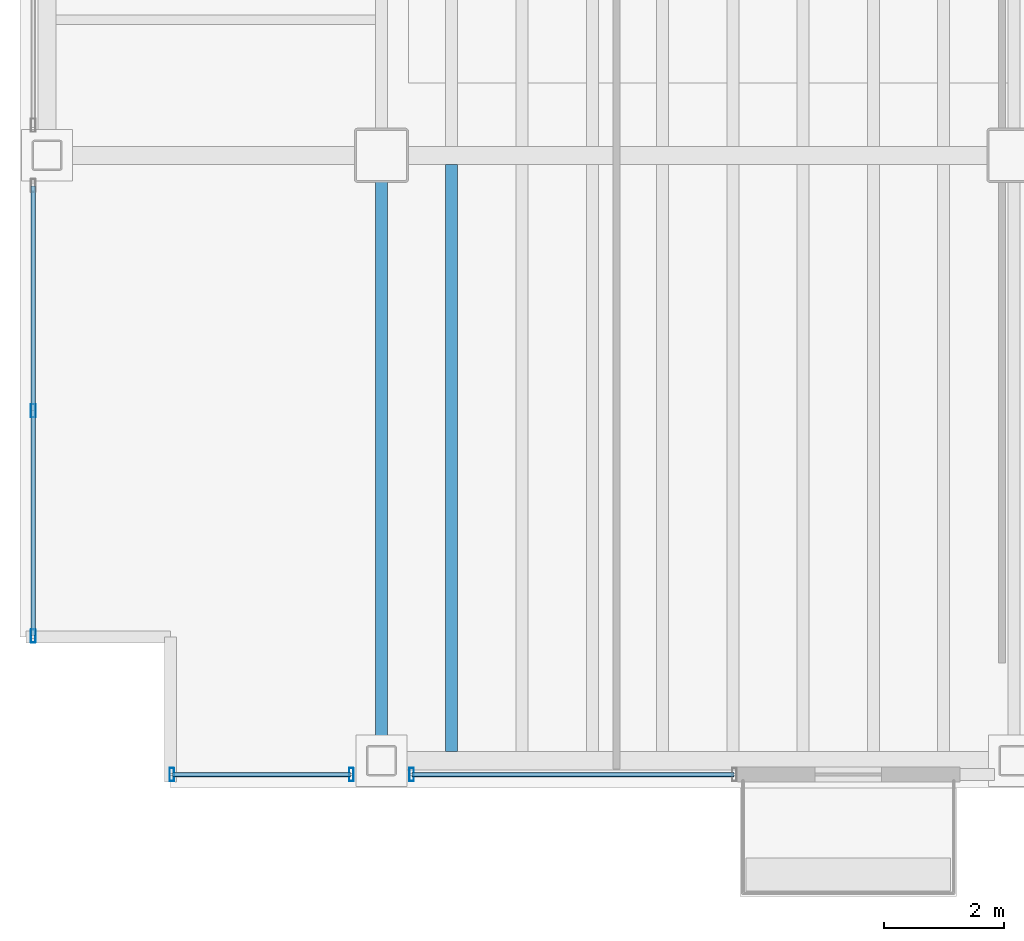
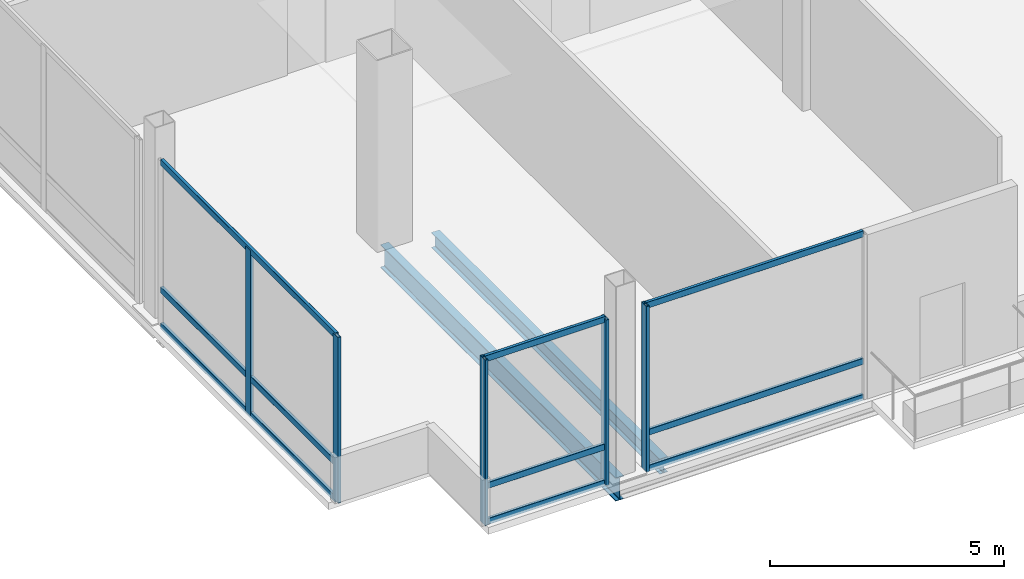
# One storey, part 2 of 22: 14 members, 2 beams, 3 elements without a shape of their own.
"""IFC4 building model written with IfcOpenShell, lengths in metres."""

from ifc_helpers import new_model, si_unit, direction, frame, origin, origin_2d, place, context, subcontext, project, spatial, hollow_rectangle, i_section, extrude, material, material_profile, profile_set, type_object, element, aggregate, save


model = new_model("IFC4")

# Units and contexts
model_context = context("Model", 3, precision=1e-05, world=origin(), true_north=direction((0.0, 1.0)))
body_context = subcontext(model_context, "Body", "Model", "MODEL_VIEW")
ifc_project = project(units=[si_unit("LENGTHUNIT", "METRE"), si_unit("AREAUNIT", "SQUARE_METRE"), si_unit("VOLUMEUNIT", "CUBIC_METRE"), si_unit("PLANEANGLEUNIT", "RADIAN"), si_unit("MASSUNIT", "GRAM", prefix="KILO")], contexts=[model_context])

# Site, building, storey
site_placement = place(None, origin())
site = spatial("IfcSite", under=ifc_project, at=site_placement, CompositionType="ELEMENT")
building_placement = place(site_placement, origin())
building = spatial("IfcBuilding", under=site, at=building_placement, Name="Noeulbin Bourse Tower", CompositionType="ELEMENT")
storey_placement = place(building_placement, frame((0.0, 0.0, 106.0)))
storey = spatial("IfcBuildingStorey", under=building, at=storey_placement, Name="L26", CompositionType="ELEMENT", Elevation=106.0)

# Beams
ifc_material_1 = material(Name="Steel S355", Category="steel")
ifc_material_profile_1 = material_profile(ifc_material_1, i_section(OverallWidth=0.199951171875, OverallDepth=0.60009765625, WebThickness=0.010986328125, FlangeThickness=0.01708984375, FilletRadius=0.02197265625, at=origin_2d()), Name="H-600x200x11x17", Category="LoadBearing")
ifc_profile_set_1 = profile_set([ifc_material_profile_1], Name="Steel S355")
beam_type_1 = type_object("IfcBeamType", Name="BM-GRD-600", PredefinedType="USERDEFINED", material=ifc_profile_set_1)
beam_1_placement = place(storey_placement, frame((13.5, 9.949951171875, -0.47998046875), z_axis=(0.0, 1.0, 0.0), x_axis=(-1.0, 0.0, 0.0)))
element("IfcBeam", 1, at=beam_1_placement, inside=storey, type_object=beam_type_1, Name="Tower Primary Girder NS L26-1.1", ObjectType="GIRDER", PredefinedType="USERDEFINED", context=body_context, shape_type="SweptSolid", body=[
    extrude(i_section(OverallWidth=0.199951171875, OverallDepth=0.60009765625, WebThickness=0.010986328125, FlangeThickness=0.01708984375, FilletRadius=0.02197265625, at=origin_2d()), origin(), (0.0, 0.0, 1.0), 10.050048828125),
])
ifc_material_profile_2 = material_profile(ifc_material_1, i_section(OverallWidth=0.199951171875, OverallDepth=0.39990234375, WebThickness=0.008056640625, FlangeThickness=0.012939453125, FilletRadius=0.01611328125, at=origin_2d()), Name="H-400x200x8x13", Category="LoadBearing")
ifc_profile_set_2 = profile_set([ifc_material_profile_2], Name="Steel S355")
beam_type_2 = type_object("IfcBeamType", Name="BM-SEC-400", PredefinedType="BEAM", material=ifc_profile_set_2)
beam_2_placement = place(storey_placement, frame((14.666748046875, 10.10009765625, -0.3798828125), z_axis=(0.0, 1.0, 0.0), x_axis=(-1.0, 0.0, 0.0)))
element("IfcBeam", 2, at=beam_2_placement, inside=storey, type_object=beam_type_2, Name="Tower Composite Joist L26-01", PredefinedType="BEAM", context=body_context, shape_type="SweptSolid", body=[
    extrude(i_section(OverallWidth=0.199951171875, OverallDepth=0.39990234375, WebThickness=0.008056640625, FlangeThickness=0.012939453125, FilletRadius=0.01611328125, at=origin_2d()), origin(), (0.0, 0.0, 1.0), 9.75),
])

# Curtain wall, members
ifc_material_2 = material(Name="Dark Tinted Triple Glazing", Category="glass")
curtain_wall_type = type_object("IfcCurtainWallType", Name="CW-SYS-3", PredefinedType="NOTDEFINED", material=ifc_material_2)
curtain_wall_1_placement = place(storey_placement, origin())
curtain_wall_1 = element("IfcCurtainWall", 3, at=curtain_wall_1_placement, inside=storey, type_object=curtain_wall_type, Name="Unitised Curtain Wall CW-L26-S1-S1", PredefinedType="NOTDEFINED")
ifc_material_3 = material(Name="Anodised Aluminium 6063-T6", Category="aluminium")
ifc_material_profile_3 = material_profile(ifc_material_3, hollow_rectangle(XDim=0.074951171875, YDim=0.219970703125, WallThickness=0.0048828125, InnerFilletRadius=0.00244140625, OuterFilletRadius=0.0048828125, at=origin_2d()), Name="ALU-MULL-75x220x5", Category="LoadBearing")
ifc_profile_set_3 = profile_set([ifc_material_profile_3], Name="Anodised Aluminium 6063-T6")
member_type_1 = type_object("IfcMemberType", Name="CW-SYS-3-MUL", PredefinedType="MULLION", material=ifc_profile_set_3)
member_1_placement = place(storey_placement, frame((10.02001953125, 9.719970703125, -0.02001953125), z_axis=(0.0, 0.0, 1.0), x_axis=(1.0, 0.0, 0.0)))
member_1 = element("IfcMember", 4, at=member_1_placement, type_object=member_type_1, Name="Curtain Wall Mullion CW-L26-S1-S1-M00", PredefinedType="MULLION", context=body_context, shape_type="SweptSolid", body=[
    extrude(hollow_rectangle(XDim=0.074951171875, YDim=0.219970703125, WallThickness=0.0048828125, InnerFilletRadius=0.00244140625, OuterFilletRadius=0.0048828125, at=origin_2d()), origin(), (0.0, 0.0, 1.0), 4.320068359375),
])
member_2_placement = place(storey_placement, frame((13.0, 9.719970703125, -0.02001953125), z_axis=(0.0, 0.0, 1.0), x_axis=(1.0, 0.0, 0.0)))
member_2 = element("IfcMember", 5, at=member_2_placement, type_object=member_type_1, Name="Curtain Wall Mullion CW-L26-S1-S1-M01", PredefinedType="MULLION", context=body_context, shape_type="SweptSolid", body=[
    extrude(hollow_rectangle(XDim=0.074951171875, YDim=0.219970703125, WallThickness=0.0048828125, InnerFilletRadius=0.00244140625, OuterFilletRadius=0.0048828125, at=origin_2d()), origin(), (0.0, 0.0, 1.0), 4.320068359375),
])

# Curtain wall, member
curtain_wall_2_placement = place(storey_placement, origin())
curtain_wall_2 = element("IfcCurtainWall", 6, at=curtain_wall_2_placement, inside=storey, type_object=curtain_wall_type, Name="Unitised Curtain Wall CW-L26-S1-S2", PredefinedType="NOTDEFINED")
member_3_placement = place(storey_placement, frame((14.0, 9.719970703125, -0.02001953125), z_axis=(0.0, 0.0, 1.0), x_axis=(1.0, 0.0, 0.0)))
member_3 = element("IfcMember", 7, at=member_3_placement, type_object=member_type_1, Name="Curtain Wall Mullion CW-L26-S1-S2-M00", PredefinedType="MULLION", context=body_context, shape_type="SweptSolid", body=[
    extrude(hollow_rectangle(XDim=0.074951171875, YDim=0.219970703125, WallThickness=0.0048828125, InnerFilletRadius=0.00244140625, OuterFilletRadius=0.0048828125, at=origin_2d()), origin(), (0.0, 0.0, 1.0), 4.320068359375),
])

# Curtain wall, members
curtain_wall_3_placement = place(storey_placement, origin())
curtain_wall_3 = element("IfcCurtainWall", 8, at=curtain_wall_3_placement, inside=storey, type_object=curtain_wall_type, Name="Unitised Curtain Wall CW-L26-W-S1", PredefinedType="NOTDEFINED")
member_4_placement = place(storey_placement, frame((7.719970703125, 12.02001953125, -0.02001953125), z_axis=(0.0, 0.0, 1.0), x_axis=(1.0, 0.0, 0.0)))
member_4 = element("IfcMember", 9, at=member_4_placement, type_object=member_type_1, Name="Curtain Wall Mullion CW-L26-W-S1-M00", PredefinedType="MULLION", context=body_context, shape_type="SweptSolid", body=[
    extrude(hollow_rectangle(XDim=0.074951171875, YDim=0.219970703125, WallThickness=0.0048828125, InnerFilletRadius=0.00244140625, OuterFilletRadius=0.0048828125, at=origin_2d()), origin(), (0.0, 0.0, 1.0), 4.320068359375),
])
member_5_placement = place(storey_placement, frame((7.719970703125, 15.760009765625, -0.02001953125), z_axis=(0.0, 0.0, 1.0), x_axis=(1.0, 0.0, 0.0)))
member_5 = element("IfcMember", 10, at=member_5_placement, type_object=member_type_1, Name="Curtain Wall Mullion CW-L26-W-S1-M01", PredefinedType="MULLION", context=body_context, shape_type="SweptSolid", body=[
    extrude(hollow_rectangle(XDim=0.074951171875, YDim=0.219970703125, WallThickness=0.0048828125, InnerFilletRadius=0.00244140625, OuterFilletRadius=0.0048828125, at=origin_2d()), origin(), (0.0, 0.0, 1.0), 4.320068359375),
])

# Member
ifc_material_profile_4 = material_profile(ifc_material_3, hollow_rectangle(XDim=0.074951171875, YDim=0.159912109375, WallThickness=0.0048828125, InnerFilletRadius=0.00244140625, OuterFilletRadius=0.0048828125, at=origin_2d()), Name="ALU-TRAN-75x160x5", Category="LoadBearing")
ifc_profile_set_4 = profile_set([ifc_material_profile_4], Name="Anodised Aluminium 6063-T6")
member_type_2 = type_object("IfcMemberType", Name="CW-SYS-3-TRN", PredefinedType="USERDEFINED", material=ifc_profile_set_4)
member_6_placement = place(storey_placement, frame((10.030029296875, 9.719970703125, 0.010009765625), z_axis=(1.0, 0.0, 0.0), x_axis=(0.0, 1.0, 0.0)))
member_6 = element("IfcMember", 11, at=member_6_placement, type_object=member_type_2, Name="Curtain Wall Transom CW-L26-S1-S1-T00", ObjectType="TRANSOM", PredefinedType="USERDEFINED", context=body_context, shape_type="SweptSolid", body=[
    extrude(hollow_rectangle(XDim=0.074951171875, YDim=0.159912109375, WallThickness=0.0048828125, InnerFilletRadius=0.00244140625, OuterFilletRadius=0.0048828125, at=origin_2d()), origin(), (0.0, 0.0, 1.0), 2.9599609375),
])

member_7_placement = place(storey_placement, frame((10.030029296875, 9.719970703125, 0.949951171875), z_axis=(1.0, 0.0, 0.0), x_axis=(0.0, 1.0, 0.0)))
member_7 = element("IfcMember", 12, at=member_7_placement, type_object=member_type_2, Name="Curtain Wall Transom CW-L26-S1-S1-T01", ObjectType="TRANSOM", PredefinedType="USERDEFINED", context=body_context, shape_type="SweptSolid", body=[
    extrude(hollow_rectangle(XDim=0.074951171875, YDim=0.159912109375, WallThickness=0.0048828125, InnerFilletRadius=0.00244140625, OuterFilletRadius=0.0048828125, at=origin_2d()), origin(), (0.0, 0.0, 1.0), 2.9599609375),
])

member_8_placement = place(storey_placement, frame((10.030029296875, 9.719970703125, 4.27001953125), z_axis=(1.0, 0.0, 0.0), x_axis=(0.0, 1.0, 0.0)))
member_8 = element("IfcMember", 13, at=member_8_placement, type_object=member_type_2, Name="Curtain Wall Transom CW-L26-S1-S1-T02", ObjectType="TRANSOM", PredefinedType="USERDEFINED", context=body_context, shape_type="SweptSolid", body=[
    extrude(hollow_rectangle(XDim=0.074951171875, YDim=0.159912109375, WallThickness=0.0048828125, InnerFilletRadius=0.00244140625, OuterFilletRadius=0.0048828125, at=origin_2d()), origin(), (0.0, 0.0, 1.0), 2.9599609375),
])

aggregate(curtain_wall_1, [member_1, member_2, member_6, member_7, member_8])

member_9_placement = place(storey_placement, frame((14.010009765625, 9.719970703125, 0.010009765625), z_axis=(1.0, 0.0, 0.0), x_axis=(0.0, 1.0, 0.0)))
member_9 = element("IfcMember", 14, at=member_9_placement, type_object=member_type_2, Name="Curtain Wall Transom CW-L26-S1-S2-T00", ObjectType="TRANSOM", PredefinedType="USERDEFINED", context=body_context, shape_type="SweptSolid", body=[
    extrude(hollow_rectangle(XDim=0.074951171875, YDim=0.159912109375, WallThickness=0.0048828125, InnerFilletRadius=0.00244140625, OuterFilletRadius=0.0048828125, at=origin_2d()), origin(), (0.0, 0.0, 1.0), 5.340087890625),
])

member_10_placement = place(storey_placement, frame((14.010009765625, 9.719970703125, 0.949951171875), z_axis=(1.0, 0.0, 0.0), x_axis=(0.0, 1.0, 0.0)))
member_10 = element("IfcMember", 15, at=member_10_placement, type_object=member_type_2, Name="Curtain Wall Transom CW-L26-S1-S2-T01", ObjectType="TRANSOM", PredefinedType="USERDEFINED", context=body_context, shape_type="SweptSolid", body=[
    extrude(hollow_rectangle(XDim=0.074951171875, YDim=0.159912109375, WallThickness=0.0048828125, InnerFilletRadius=0.00244140625, OuterFilletRadius=0.0048828125, at=origin_2d()), origin(), (0.0, 0.0, 1.0), 5.340087890625),
])

member_11_placement = place(storey_placement, frame((14.010009765625, 9.719970703125, 4.27001953125), z_axis=(1.0, 0.0, 0.0), x_axis=(0.0, 1.0, 0.0)))
member_11 = element("IfcMember", 16, at=member_11_placement, type_object=member_type_2, Name="Curtain Wall Transom CW-L26-S1-S2-T02", ObjectType="TRANSOM", PredefinedType="USERDEFINED", context=body_context, shape_type="SweptSolid", body=[
    extrude(hollow_rectangle(XDim=0.074951171875, YDim=0.159912109375, WallThickness=0.0048828125, InnerFilletRadius=0.00244140625, OuterFilletRadius=0.0048828125, at=origin_2d()), origin(), (0.0, 0.0, 1.0), 5.340087890625),
])

aggregate(curtain_wall_2, [member_3, member_9, member_10, member_11])

member_12_placement = place(storey_placement, frame((7.719970703125, 12.030029296875, 0.010009765625), z_axis=(0.0, 1.0, 0.0), x_axis=(-1.0, 0.0, 0.0)))
member_12 = element("IfcMember", 17, at=member_12_placement, type_object=member_type_2, Name="Curtain Wall Transom CW-L26-W-S1-T00", ObjectType="TRANSOM", PredefinedType="USERDEFINED", context=body_context, shape_type="SweptSolid", body=[
    extrude(hollow_rectangle(XDim=0.074951171875, YDim=0.159912109375, WallThickness=0.0048828125, InnerFilletRadius=0.00244140625, OuterFilletRadius=0.0048828125, at=origin_2d()), origin(), (0.0, 0.0, 1.0), 7.4599609375),
])

member_13_placement = place(storey_placement, frame((7.719970703125, 12.030029296875, 0.949951171875), z_axis=(0.0, 1.0, 0.0), x_axis=(-1.0, 0.0, 0.0)))
member_13 = element("IfcMember", 18, at=member_13_placement, type_object=member_type_2, Name="Curtain Wall Transom CW-L26-W-S1-T01", ObjectType="TRANSOM", PredefinedType="USERDEFINED", context=body_context, shape_type="SweptSolid", body=[
    extrude(hollow_rectangle(XDim=0.074951171875, YDim=0.159912109375, WallThickness=0.0048828125, InnerFilletRadius=0.00244140625, OuterFilletRadius=0.0048828125, at=origin_2d()), origin(), (0.0, 0.0, 1.0), 7.4599609375),
])

member_14_placement = place(storey_placement, frame((7.719970703125, 12.030029296875, 4.27001953125), z_axis=(0.0, 1.0, 0.0), x_axis=(-1.0, 0.0, 0.0)))
member_14 = element("IfcMember", 19, at=member_14_placement, type_object=member_type_2, Name="Curtain Wall Transom CW-L26-W-S1-T02", ObjectType="TRANSOM", PredefinedType="USERDEFINED", context=body_context, shape_type="SweptSolid", body=[
    extrude(hollow_rectangle(XDim=0.074951171875, YDim=0.159912109375, WallThickness=0.0048828125, InnerFilletRadius=0.00244140625, OuterFilletRadius=0.0048828125, at=origin_2d()), origin(), (0.0, 0.0, 1.0), 7.4599609375),
])

aggregate(curtain_wall_3, [member_4, member_5, member_12, member_13, member_14])

save(model, "model.ifc")
